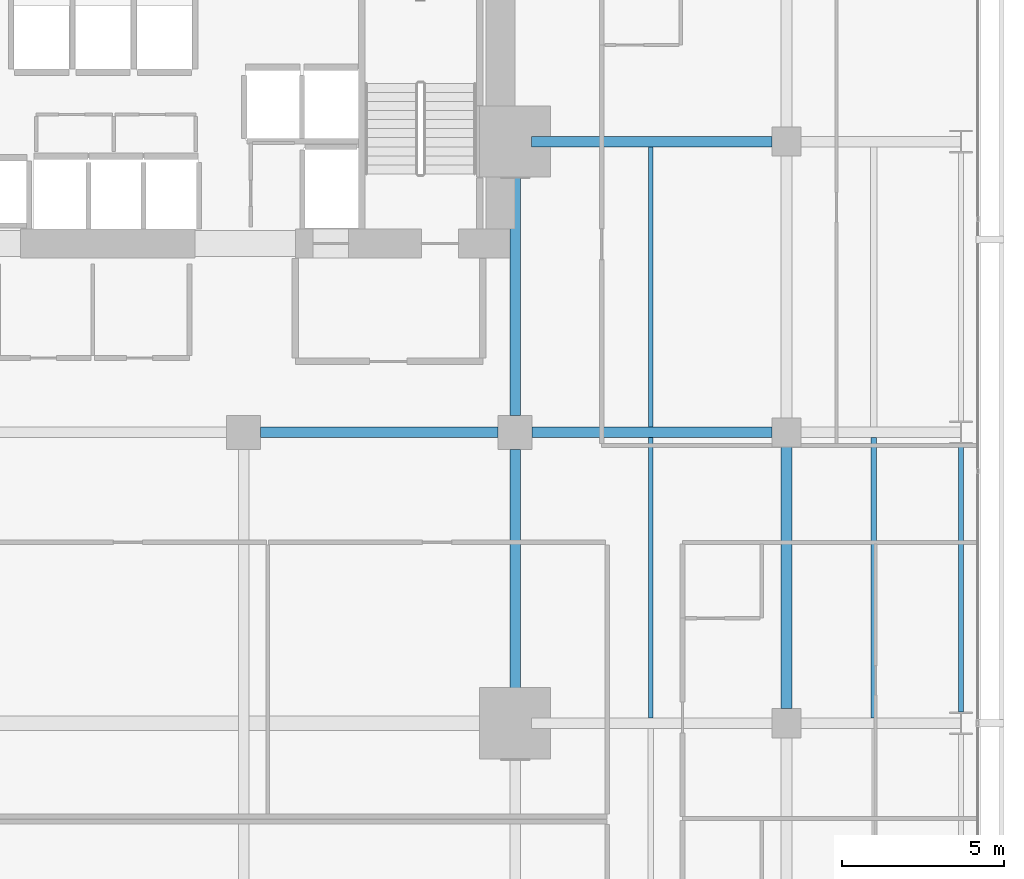
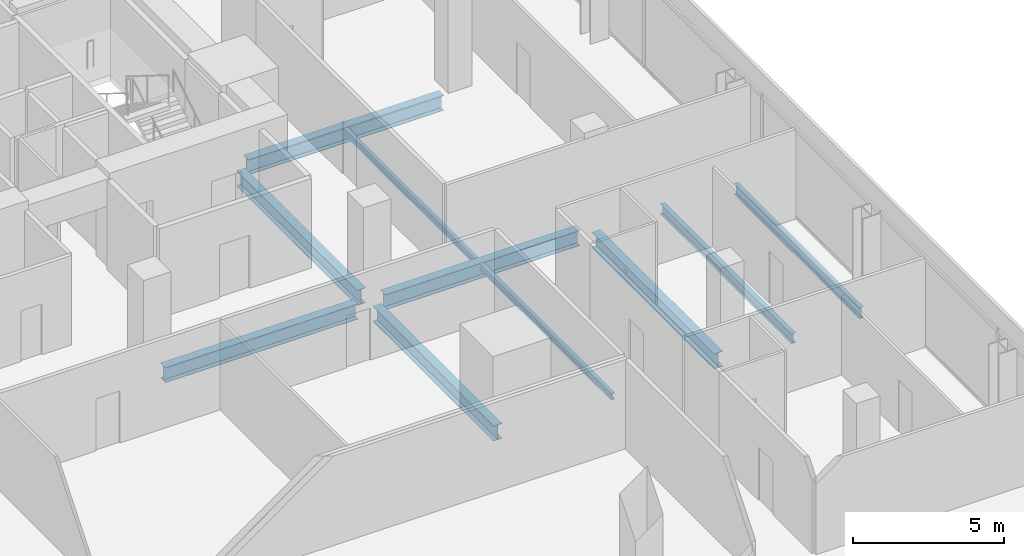
# One storey, part 27 of 40: 10 beams.
"""IFC4 building model written with IfcOpenShell, lengths in metres."""

from ifc_helpers import new_model, si_unit, direction, frame, origin, origin_2d, place, context, subcontext, project, spatial, i_section, extrude, material, material_profile, profile_set, type_object, element, save


model = new_model("IFC4")

# Units and contexts
model_context = context("Model", 3, precision=1e-05, world=origin(), true_north=direction((0.0, 1.0)))
body_context = subcontext(model_context, "Body", "Model", "MODEL_VIEW")
ifc_project = project(units=[si_unit("LENGTHUNIT", "METRE"), si_unit("AREAUNIT", "SQUARE_METRE"), si_unit("VOLUMEUNIT", "CUBIC_METRE"), si_unit("PLANEANGLEUNIT", "RADIAN"), si_unit("MASSUNIT", "GRAM", prefix="KILO")], contexts=[model_context])

# Site, building, storey
site_placement = place(None, origin())
site = spatial("IfcSite", under=ifc_project, at=site_placement, CompositionType="ELEMENT")
building_placement = place(site_placement, origin())
building = spatial("IfcBuilding", under=site, at=building_placement, Name="Maruvema Waterfront Hotel and Observation Tower", CompositionType="ELEMENT")
storey_placement = place(building_placement, frame((0.0, 0.0, 73.14990234375)))
storey = spatial("IfcBuildingStorey", under=building, at=storey_placement, Name="L17", CompositionType="ELEMENT", Elevation=73.14990234375)

# Beams
ifc_material_1 = material(Name="Steel ASTM A572 Grade 50", Category="steel")
ifc_material_profile_1 = material_profile(ifc_material_1, i_section(OverallWidth=0.153076171875, OverallDepth=0.455078125, WebThickness=0.008056640625, FlangeThickness=0.01318359375, FilletRadius=0.014892578125, at=origin_2d()), Name="W460x60.0")
ifc_profile_set_1 = profile_set([ifc_material_profile_1], Name="Steel ASTM A572 Grade 50")
beam_type_1 = type_object("IfcBeamType", Name="Perimeter Spandrel Beam W460x60.0", PredefinedType="SPANDREL", material=ifc_profile_set_1)
beam_1_placement = place(storey_placement, frame((64.199951171875, 27.35009765625, -0.46728515625), z_axis=(0.0, 1.0, 0.0), x_axis=(-1.0, 0.0, 0.0)))
element("IfcBeam", 1, at=beam_1_placement, inside=storey, type_object=beam_type_1, Name="L17 Floor Girder NS-35", PredefinedType="SPANDREL", context=body_context, shape_type="SweptSolid", body=[
    extrude(i_section(OverallWidth=0.153076171875, OverallDepth=0.455078125, WebThickness=0.008056640625, FlangeThickness=0.01318359375, FilletRadius=0.014892578125, at=origin_2d()), origin(), (0.0, 0.0, 1.0), 8.2998046875),
])
ifc_material_2 = material(Name="Steel ASTM A572 Grade 50", Category="steel")
ifc_material_profile_2 = material_profile(ifc_material_2, i_section(OverallWidth=0.326904296875, OverallDepth=0.6220703125, WebThickness=0.015380859375, FlangeThickness=0.0244140625, FilletRadius=0.01806640625, at=origin_2d()), Name="W610x195.0")
ifc_profile_set_2 = profile_set([ifc_material_profile_2], Name="Steel ASTM A572 Grade 50")
beam_type_2 = type_object("IfcBeamType", Name="Primary Floor Girder W610x195.0", PredefinedType="BEAM", material=ifc_profile_set_2)
beam_2_placement = place(storey_placement, frame((42.52490234375, 36.0, -0.55078125), z_axis=(1.0, 0.0, 0.0), x_axis=(0.0, 1.0, 0.0)))
element("IfcBeam", 2, at=beam_2_placement, inside=storey, type_object=beam_type_2, Name="L17 Floor Girder EW-29", PredefinedType="BEAM", context=body_context, shape_type="SweptSolid", body=[
    extrude(i_section(OverallWidth=0.326904296875, OverallDepth=0.6220703125, WebThickness=0.015380859375, FlangeThickness=0.0244140625, FilletRadius=0.01806640625, at=origin_2d()), origin(), (0.0, 0.0, 1.0), 7.35009765625),
])
beam_3_placement = place(storey_placement, frame((50.925048828125, 36.0, -0.55078125), z_axis=(1.0, 0.0, 0.0), x_axis=(0.0, 1.0, 0.0)))
element("IfcBeam", 3, at=beam_3_placement, inside=storey, type_object=beam_type_2, Name="L17 Floor Girder EW-30", PredefinedType="BEAM", context=body_context, shape_type="SweptSolid", body=[
    extrude(i_section(OverallWidth=0.326904296875, OverallDepth=0.6220703125, WebThickness=0.015380859375, FlangeThickness=0.0244140625, FilletRadius=0.01806640625, at=origin_2d()), origin(), (0.0, 0.0, 1.0), 7.425048828125),
])
beam_4_placement = place(storey_placement, frame((50.89990234375, 45.0, -0.55078125), z_axis=(1.0, 0.0, 0.0), x_axis=(0.0, 1.0, 0.0)))
element("IfcBeam", 4, at=beam_4_placement, inside=storey, type_object=beam_type_2, Name="L17 Floor Girder EW-34", PredefinedType="BEAM", context=body_context, shape_type="SweptSolid", body=[
    extrude(i_section(OverallWidth=0.326904296875, OverallDepth=0.6220703125, WebThickness=0.015380859375, FlangeThickness=0.0244140625, FilletRadius=0.01806640625, at=origin_2d()), origin(), (0.0, 0.0, 1.0), 7.4501953125),
])
for number, where, z_axis, x_axis, name in (
    (5, (50.39990234375, 27.5, -0.55078125), (0.0, 1.0, 0.0), (-1.0, 0.0, 0.0), "L17 Floor Girder NS-25"),
    (6, (50.39990234375, 36.52490234375, -0.55078125), (0.0, 1.0, 0.0), (-1.0, 0.0, 0.0), "L17 Floor Girder NS-26"),
):
    element("IfcBeam", number, at=place(storey_placement, frame(where, z_axis=z_axis, x_axis=x_axis)), inside=storey, type_object=beam_type_2, Name=name, PredefinedType="BEAM", context=body_context, shape_type="SweptSolid", body=[
        extrude(i_section(OverallWidth=0.326904296875, OverallDepth=0.6220703125, WebThickness=0.015380859375, FlangeThickness=0.0244140625, FilletRadius=0.01806640625, at=origin_2d()), origin(), (0.0, 0.0, 1.0), 7.97509765625),
    ])
beam_5_placement = place(storey_placement, frame((58.800048828125, 27.449951171875, -0.55078125), z_axis=(0.0, 1.0, 0.0), x_axis=(-1.0, 0.0, 0.0)))
element("IfcBeam", 7, at=beam_5_placement, inside=storey, type_object=beam_type_2, Name="L17 Floor Girder NS-30", PredefinedType="BEAM", context=body_context, shape_type="SweptSolid", body=[
    extrude(i_section(OverallWidth=0.326904296875, OverallDepth=0.6220703125, WebThickness=0.015380859375, FlangeThickness=0.0244140625, FilletRadius=0.01806640625, at=origin_2d()), origin(), (0.0, 0.0, 1.0), 8.10009765625),
])
ifc_material_3 = material(Name="Steel ASTM A572 Grade 50", Category="steel")
ifc_material_profile_3 = material_profile(ifc_material_3, i_section(OverallWidth=0.14599609375, OverallDepth=0.258056640625, WebThickness=0.006103515625, FlangeThickness=0.009033203125, FilletRadius=0.012939453125, at=origin_2d()), Name="W250x32.7")
ifc_profile_set_3 = profile_set([ifc_material_profile_3], Name="Steel ASTM A572 Grade 50")
beam_type_3 = type_object("IfcBeamType", Name="Secondary Floor Joist W250x32.7", PredefinedType="JOIST", material=ifc_profile_set_3)
beam_6_placement = place(storey_placement, frame((54.60009765625, 36.16357421875, -0.368896484375), z_axis=(0.0, 1.0, 0.0), x_axis=(-1.0, 0.0, 0.0)))
element("IfcBeam", 8, at=beam_6_placement, inside=storey, type_object=beam_type_3, Name="L17 Secondary Floor Joist JS-20", PredefinedType="JOIST", context=body_context, shape_type="SweptSolid", body=[
    extrude(i_section(OverallWidth=0.14599609375, OverallDepth=0.258056640625, WebThickness=0.006103515625, FlangeThickness=0.009033203125, FilletRadius=0.012939453125, at=origin_2d()), origin(), (0.0, 0.0, 1.0), 8.6728515625),
])
ifc_material_4 = material(Name="Steel ASTM A572 Grade 50", Category="steel")
ifc_material_profile_4 = material_profile(ifc_material_4, i_section(OverallWidth=0.14794921875, OverallDepth=0.26611328125, WebThickness=0.007568359375, FlangeThickness=0.012939453125, FilletRadius=0.012939453125, at=origin_2d()), Name="W250x44.8")
ifc_profile_set_4 = profile_set([ifc_material_profile_4], Name="Steel ASTM A572 Grade 50")
beam_type_4 = type_object("IfcBeamType", Name="Secondary Floor Joist W250x44.8", PredefinedType="JOIST", material=ifc_profile_set_4)
beam_7_placement = place(storey_placement, frame((54.60009765625, 27.16357421875, -0.372802734375), z_axis=(0.0, 1.0, 0.0), x_axis=(-1.0, 0.0, 0.0)))
element("IfcBeam", 9, at=beam_7_placement, inside=storey, type_object=beam_type_4, Name="L17 Secondary Floor Joist JS-19", PredefinedType="JOIST", context=body_context, shape_type="SweptSolid", body=[
    extrude(i_section(OverallWidth=0.14794921875, OverallDepth=0.26611328125, WebThickness=0.007568359375, FlangeThickness=0.012939453125, FilletRadius=0.012939453125, at=origin_2d()), origin(), (0.0, 0.0, 1.0), 8.6728515625),
])
ifc_material_5 = material(Name="Steel ASTM A572 Grade 50", Category="steel")
ifc_material_profile_5 = material_profile(ifc_material_5, i_section(OverallWidth=0.177001953125, OverallDepth=0.403076171875, WebThickness=0.007568359375, FlangeThickness=0.010986328125, FilletRadius=0.014892578125, at=origin_2d()), Name="W410x53.0")
ifc_profile_set_5 = profile_set([ifc_material_profile_5], Name="Steel ASTM A572 Grade 50")
beam_type_5 = type_object("IfcBeamType", Name="Secondary Floor Joist W410x53.0", PredefinedType="JOIST", material=ifc_profile_set_5)
beam_8_placement = place(storey_placement, frame((61.5, 27.16357421875, -0.44140625), z_axis=(0.0, 1.0, 0.0), x_axis=(-1.0, 0.0, 0.0)))
element("IfcBeam", 10, at=beam_8_placement, inside=storey, type_object=beam_type_5, Name="L17 Secondary Floor Joist JS-23", PredefinedType="JOIST", context=body_context, shape_type="SweptSolid", body=[
    extrude(i_section(OverallWidth=0.177001953125, OverallDepth=0.403076171875, WebThickness=0.007568359375, FlangeThickness=0.010986328125, FilletRadius=0.014892578125, at=origin_2d()), origin(), (0.0, 0.0, 1.0), 8.6728515625),
])

save(model, "model.ifc")
